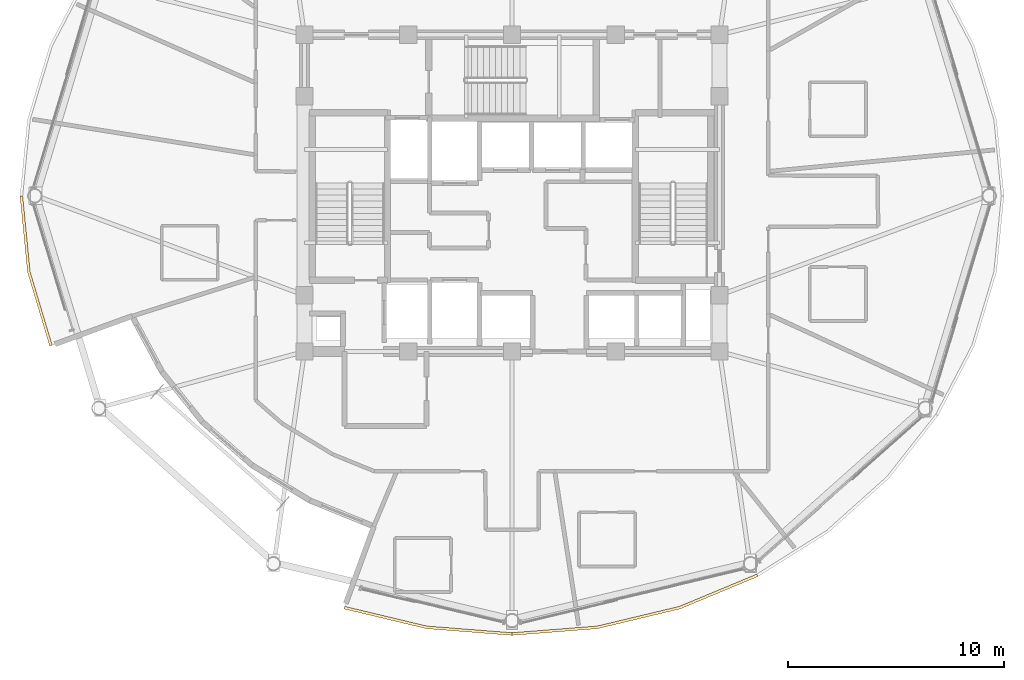
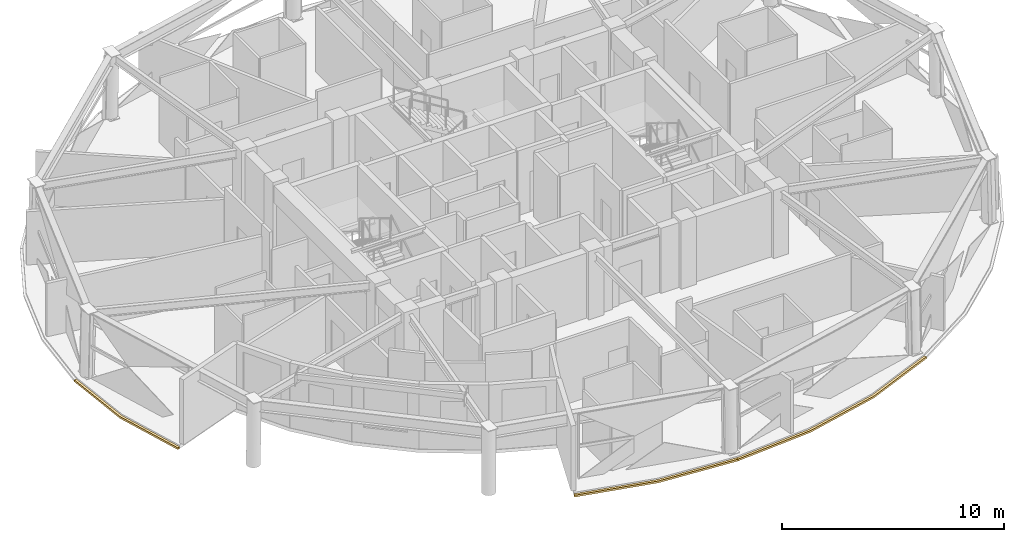
# One storey, part 15 of 18: 3 coverings.
"""IFC4 building model written with IfcOpenShell, lengths in metres."""

from ifc_helpers import new_model, si_unit, direction, frame, origin, place, context, subcontext, project, spatial, polyline, outline, extrude, material, layer, layer_set, type_object, element, save


model = new_model("IFC4")

# Units and contexts
model_context = context("Model", 3, precision=1e-05, world=origin(), true_north=direction((0.0, 1.0)))
body_context = subcontext(model_context, "Body", "Model", "MODEL_VIEW")
ifc_project = project(units=[si_unit("LENGTHUNIT", "METRE"), si_unit("AREAUNIT", "SQUARE_METRE"), si_unit("VOLUMEUNIT", "CUBIC_METRE"), si_unit("PLANEANGLEUNIT", "RADIAN"), si_unit("MASSUNIT", "GRAM", prefix="KILO")], contexts=[model_context])

# Site, building, storey
site_placement = place(None, origin())
site = spatial("IfcSite", under=ifc_project, at=site_placement, CompositionType="ELEMENT")
building_placement = place(site_placement, origin())
building = spatial("IfcBuilding", under=site, at=building_placement, Name="Vantalir Tower", CompositionType="ELEMENT")
storey_placement = place(building_placement, frame((0.0, 0.0, 216.14990234375)))
storey = spatial("IfcBuildingStorey", under=building, at=storey_placement, Name="L54", CompositionType="ELEMENT", Elevation=216.14990234375)

# Coverings
ifc_material = material(Name="Anodised champagne aluminium sill fascia", Category="aluminium")
ifc_layer = layer(ifc_material, 0.125)
ifc_layer_set = layer_set([ifc_layer], Name="Anodised champagne aluminium sill fascia")
covering_type = type_object("IfcCoveringType", Name="COV-SLAB-FASCIA-125", PredefinedType="CLADDING", material=ifc_layer_set)
covering_1_placement = place(storey_placement, frame((0.0, 0.0, -0.179931640625)))
element("IfcCovering", 1, at=covering_1_placement, inside=storey, type_object=covering_type, Name="L54 Perimeter Slab-Edge Sill Fascia 07", PredefinedType="CLADDING", context=body_context, shape_type="SweptSolid", body=[
    extrude(outline(polyline([(8.738037109375, 25.0), (9.083984375, 21.468994140625), (10.111083984375, 18.044921875), (10.22802734375, 18.0869140625), (9.20703125, 21.489990234375), (8.863037109375, 25.0), (8.738037109375, 25.0)])), origin(), (0.0, 0.0, 1.0), 0.10498046875),
])
covering_2_placement = place(storey_placement, frame((0.0, 0.0, -0.179931640625)))
element("IfcCovering", 2, at=covering_2_placement, inside=storey, type_object=covering_type, Name="L54 Perimeter Slab-Edge Sill Fascia 09", PredefinedType="CLADDING", context=body_context, shape_type="SweptSolid", body=[
    extrude(outline(polyline([(23.715087890625, 5.889892578125), (27.547119140625, 4.972900390625), (31.5, 4.6640625), (31.5, 4.7890625), (27.569091796875, 5.095947265625), (23.758056640625, 6.008056640625), (23.715087890625, 5.889892578125)])), origin(), (0.0, 0.0, 1.0), 0.10498046875),
])
covering_3_placement = place(storey_placement, frame((0.0, 0.0, -0.179931640625)))
element("IfcCovering", 3, at=covering_3_placement, inside=storey, type_object=covering_type, Name="L54 Perimeter Slab-Edge Sill Fascia 10", PredefinedType="CLADDING", context=body_context, shape_type="SweptSolid", body=[
    extrude(outline(polyline([(31.5, 4.6640625), (35.452880859375, 4.972900390625), (39.284912109375, 5.889892578125), (42.881103515625, 7.388916015625), (42.819091796875, 7.4970703125), (39.241943359375, 6.008056640625), (35.430908203125, 5.095947265625), (31.5, 4.7890625), (31.5, 4.6640625)])), origin(), (0.0, 0.0, 1.0), 0.10498046875),
])

save(model, "model.ifc")
